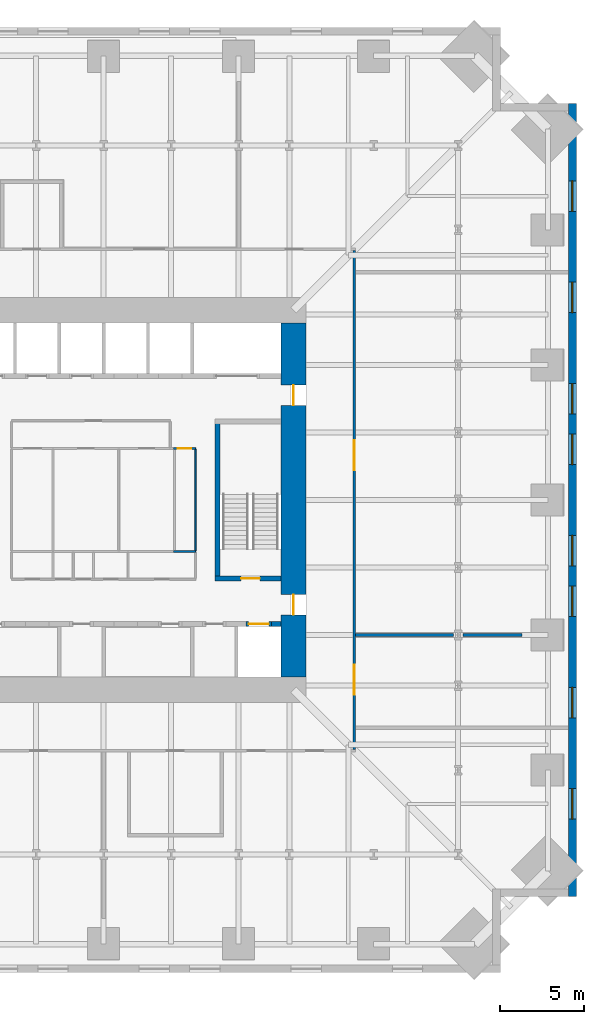
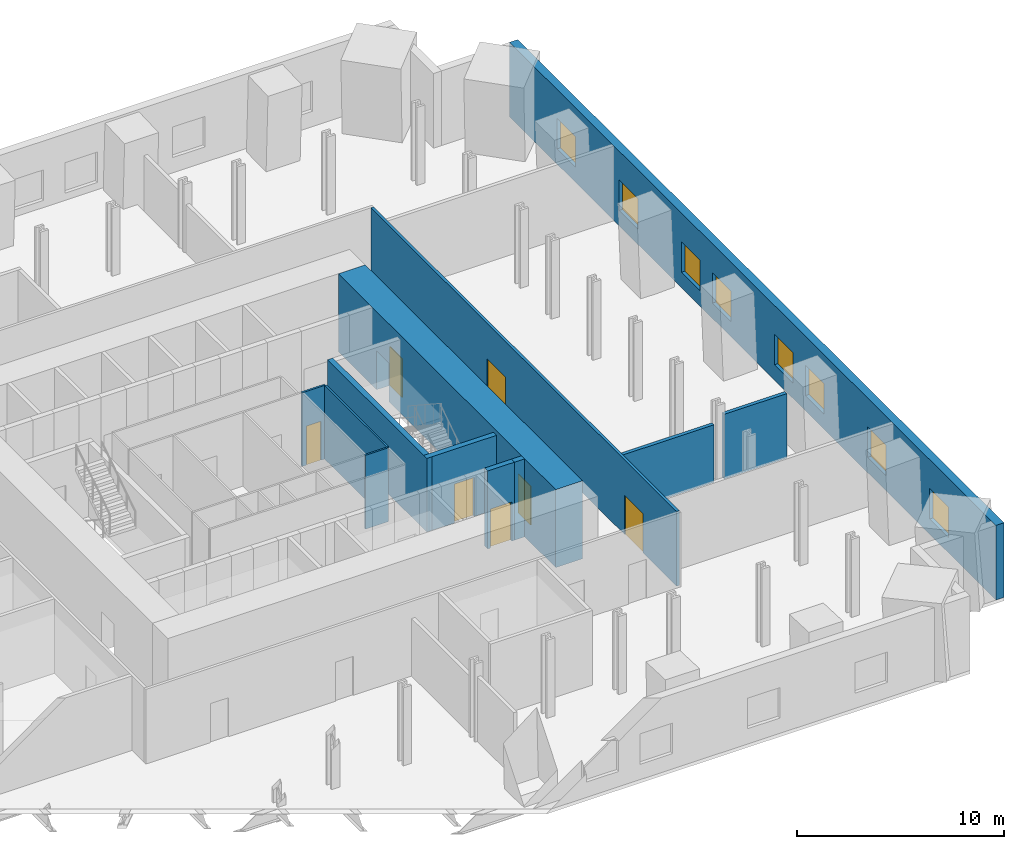
# One storey, part 5 of 8: 12 walls, 8 windows, 7 doors, 15 openings.
"""IFC4 building model written with IfcOpenShell, lengths in metres."""

from ifc_helpers import new_model, si_unit, direction, frame, frame_2d, origin, place, context, subcontext, project, spatial, rectangle, extrude, material, layer, layer_set, type_object, element, fill, save


model = new_model("IFC4")

# Units and contexts
model_context = context("Model", 3, precision=1e-05, world=origin(), true_north=direction((0.0, 1.0)))
body_context = subcontext(model_context, "Body", "Model", "MODEL_VIEW")
ifc_project = project(units=[si_unit("LENGTHUNIT", "METRE"), si_unit("AREAUNIT", "SQUARE_METRE"), si_unit("VOLUMEUNIT", "CUBIC_METRE"), si_unit("PLANEANGLEUNIT", "RADIAN"), si_unit("MASSUNIT", "GRAM", prefix="KILO")], contexts=[model_context])

# Site, building, storey
site_placement = place(None, origin())
site = spatial("IfcSite", under=ifc_project, at=site_placement, CompositionType="ELEMENT")
building_placement = place(site_placement, origin())
building = spatial("IfcBuilding", under=site, at=building_placement, Name="Peilmerk Tower", CompositionType="ELEMENT")
storey_placement = place(building_placement, frame((0.0, 0.0, 113.60009765625)))
storey = spatial("IfcBuildingStorey", under=building, at=storey_placement, Name="L22", CompositionType="ELEMENT", Elevation=113.60009765625)

# Wall, openings, windows
ifc_material_1 = material(Name="Precast concrete C45/55, board-marked finish", Category="concrete")
ifc_layer_1 = layer(ifc_material_1, 0.449951171875)
ifc_layer_set_1 = layer_set([ifc_layer_1], Name="Precast concrete C45/55, board-marked finish")
wall_type_1 = type_object("IfcWallType", Name="EW1 450 precast concrete facade wall, board-marked", PredefinedType="SOLIDWALL", material=ifc_layer_set_1)
wall_1_placement = place(storey_placement, frame((27.77490234375, -23.5, 0.0), z_axis=(0.0, 0.0, 1.0), x_axis=(0.0, 1.0, 0.0)))
wall_1 = element("IfcWall", 1, at=wall_1_placement, inside=storey, type_object=wall_type_1, Name="Facade wall E L22", PredefinedType="SOLIDWALL", context=body_context, shape_type="SweptSolid", body=[
    extrude(rectangle(XDim=47.0, YDim=0.449951171875, at=frame_2d((23.5, 0.0))), origin(), (0.0, 0.0, 1.0), 4.39990234375),
])
opening_1_placement = place(wall_1_placement, frame((4.60009765625, 0.0, 0.89990234375)))
opening_1 = element("IfcOpeningElement", 2, at=opening_1_placement, cuts=wall_1, Name="Opening W3", PredefinedType="OPENING", context=body_context, shape_type="SweptSolid", body=[
    extrude(rectangle(XDim=1.800048828125, YDim=1.800048828125, at=frame_2d((0.89990234375, 0.89990234375))), frame((0.0, 0.23486328125, 0.0), z_axis=(0.0, -1.0, 0.0), x_axis=(1.0, 0.0, 0.0)), (0.0, 0.0, 1.0), 0.469970703125),
])
opening_2_placement = place(wall_1_placement, frame((10.60009765625, 0.0, 0.89990234375)))
opening_2 = element("IfcOpeningElement", 3, at=opening_2_placement, cuts=wall_1, Name="Opening W3", PredefinedType="OPENING", context=body_context, shape_type="SweptSolid", body=[
    extrude(rectangle(XDim=1.800048828125, YDim=1.800048828125, at=frame_2d((0.89990234375, 0.89990234375))), frame((0.0, 0.23486328125, 0.0), z_axis=(0.0, -1.0, 0.0), x_axis=(1.0, 0.0, 0.0)), (0.0, 0.0, 1.0), 0.469970703125),
])
opening_3_placement = place(wall_1_placement, frame((16.60009765625, 0.0, 0.89990234375)))
opening_3 = element("IfcOpeningElement", 4, at=opening_3_placement, cuts=wall_1, Name="Opening W3", PredefinedType="OPENING", context=body_context, shape_type="SweptSolid", body=[
    extrude(rectangle(XDim=1.800048828125, YDim=1.800048828125, at=frame_2d((0.89990234375, 0.89990234375))), frame((0.0, 0.23486328125, 0.0), z_axis=(0.0, -1.0, 0.0), x_axis=(1.0, 0.0, 0.0)), (0.0, 0.0, 1.0), 0.469970703125),
])
opening_4_placement = place(wall_1_placement, frame((19.60009765625, 0.0, 0.89990234375)))
opening_4 = element("IfcOpeningElement", 5, at=opening_4_placement, cuts=wall_1, Name="Opening W3", PredefinedType="OPENING", context=body_context, shape_type="SweptSolid", body=[
    extrude(rectangle(XDim=1.800048828125, YDim=1.800048828125, at=frame_2d((0.89990234375, 0.89990234375))), frame((0.0, 0.23486328125, 0.0), z_axis=(0.0, -1.0, 0.0), x_axis=(1.0, 0.0, 0.0)), (0.0, 0.0, 1.0), 0.469970703125),
])
opening_5_placement = place(wall_1_placement, frame((25.60009765625, 0.0, 0.89990234375)))
opening_5 = element("IfcOpeningElement", 6, at=opening_5_placement, cuts=wall_1, Name="Opening W3", PredefinedType="OPENING", context=body_context, shape_type="SweptSolid", body=[
    extrude(rectangle(XDim=1.800048828125, YDim=1.800048828125, at=frame_2d((0.89990234375, 0.89990234375))), frame((0.0, 0.23486328125, 0.0), z_axis=(0.0, -1.0, 0.0), x_axis=(1.0, 0.0, 0.0)), (0.0, 0.0, 1.0), 0.469970703125),
])
opening_6_placement = place(wall_1_placement, frame((28.60009765625, 0.0, 0.89990234375)))
opening_6 = element("IfcOpeningElement", 7, at=opening_6_placement, cuts=wall_1, Name="Opening W3", PredefinedType="OPENING", context=body_context, shape_type="SweptSolid", body=[
    extrude(rectangle(XDim=1.800048828125, YDim=1.800048828125, at=frame_2d((0.89990234375, 0.89990234375))), frame((0.0, 0.23486328125, 0.0), z_axis=(0.0, -1.0, 0.0), x_axis=(1.0, 0.0, 0.0)), (0.0, 0.0, 1.0), 0.469970703125),
])
opening_7_placement = place(wall_1_placement, frame((34.60009765625, 0.0, 0.89990234375)))
opening_7 = element("IfcOpeningElement", 8, at=opening_7_placement, cuts=wall_1, Name="Opening W3", PredefinedType="OPENING", context=body_context, shape_type="SweptSolid", body=[
    extrude(rectangle(XDim=1.800048828125, YDim=1.800048828125, at=frame_2d((0.89990234375, 0.89990234375))), frame((0.0, 0.23486328125, 0.0), z_axis=(0.0, -1.0, 0.0), x_axis=(1.0, 0.0, 0.0)), (0.0, 0.0, 1.0), 0.469970703125),
])
opening_8_placement = place(wall_1_placement, frame((40.60009765625, 0.0, 0.89990234375)))
opening_8 = element("IfcOpeningElement", 9, at=opening_8_placement, cuts=wall_1, Name="Opening W3", PredefinedType="OPENING", context=body_context, shape_type="SweptSolid", body=[
    extrude(rectangle(XDim=1.800048828125, YDim=1.800048828125, at=frame_2d((0.89990234375, 0.89990234375))), frame((0.0, 0.23486328125, 0.0), z_axis=(0.0, -1.0, 0.0), x_axis=(1.0, 0.0, 0.0)), (0.0, 0.0, 1.0), 0.469970703125),
])
ifc_material_2 = material(Name="Aluminium frame, clear double glazing", Category="aluminium")
window_type = type_object("IfcWindowType", Name="W3 1800x1800 telecom floor window", PartitioningType="SINGLE_PANEL", PredefinedType="WINDOW", material=ifc_material_2)
window_1_placement = place(opening_1_placement, origin())
window_1 = element("IfcWindow", 10, at=window_1_placement, inside=storey, type_object=window_type, Name="Window W3 L22", OverallHeight=1.800048828125, OverallWidth=1.800048828125, PartitioningType="SINGLE_PANEL", PredefinedType="WINDOW", context=body_context, shape_type="SweptSolid", body=[
    extrude(rectangle(XDim=1.800048828125, YDim=1.800048828125, at=frame_2d((0.89990234375, 0.89990234375))), frame((0.0, 0.030029296875, 0.0), z_axis=(0.0, -1.0, 0.0), x_axis=(1.0, 0.0, 0.0)), (0.0, 0.0, 1.0), 0.06005859375),
])
fill(opening_1, window_1)
window_2_placement = place(opening_2_placement, origin())
window_2 = element("IfcWindow", 11, at=window_2_placement, inside=storey, type_object=window_type, Name="Window W3 L22", OverallHeight=1.800048828125, OverallWidth=1.800048828125, PartitioningType="SINGLE_PANEL", PredefinedType="WINDOW", context=body_context, shape_type="SweptSolid", body=[
    extrude(rectangle(XDim=1.800048828125, YDim=1.800048828125, at=frame_2d((0.89990234375, 0.89990234375))), frame((0.0, 0.030029296875, 0.0), z_axis=(0.0, -1.0, 0.0), x_axis=(1.0, 0.0, 0.0)), (0.0, 0.0, 1.0), 0.06005859375),
])
fill(opening_2, window_2)
window_3_placement = place(opening_3_placement, origin())
window_3 = element("IfcWindow", 12, at=window_3_placement, inside=storey, type_object=window_type, Name="Window W3 L22", OverallHeight=1.800048828125, OverallWidth=1.800048828125, PartitioningType="SINGLE_PANEL", PredefinedType="WINDOW", context=body_context, shape_type="SweptSolid", body=[
    extrude(rectangle(XDim=1.800048828125, YDim=1.800048828125, at=frame_2d((0.89990234375, 0.89990234375))), frame((0.0, 0.030029296875, 0.0), z_axis=(0.0, -1.0, 0.0), x_axis=(1.0, 0.0, 0.0)), (0.0, 0.0, 1.0), 0.06005859375),
])
fill(opening_3, window_3)
window_4_placement = place(opening_4_placement, origin())
window_4 = element("IfcWindow", 13, at=window_4_placement, inside=storey, type_object=window_type, Name="Window W3 L22", OverallHeight=1.800048828125, OverallWidth=1.800048828125, PartitioningType="SINGLE_PANEL", PredefinedType="WINDOW", context=body_context, shape_type="SweptSolid", body=[
    extrude(rectangle(XDim=1.800048828125, YDim=1.800048828125, at=frame_2d((0.89990234375, 0.89990234375))), frame((0.0, 0.030029296875, 0.0), z_axis=(0.0, -1.0, 0.0), x_axis=(1.0, 0.0, 0.0)), (0.0, 0.0, 1.0), 0.06005859375),
])
fill(opening_4, window_4)
window_5_placement = place(opening_5_placement, origin())
window_5 = element("IfcWindow", 14, at=window_5_placement, inside=storey, type_object=window_type, Name="Window W3 L22", OverallHeight=1.800048828125, OverallWidth=1.800048828125, PartitioningType="SINGLE_PANEL", PredefinedType="WINDOW", context=body_context, shape_type="SweptSolid", body=[
    extrude(rectangle(XDim=1.800048828125, YDim=1.800048828125, at=frame_2d((0.89990234375, 0.89990234375))), frame((0.0, 0.030029296875, 0.0), z_axis=(0.0, -1.0, 0.0), x_axis=(1.0, 0.0, 0.0)), (0.0, 0.0, 1.0), 0.06005859375),
])
fill(opening_5, window_5)
window_6_placement = place(opening_6_placement, origin())
window_6 = element("IfcWindow", 15, at=window_6_placement, inside=storey, type_object=window_type, Name="Window W3 L22", OverallHeight=1.800048828125, OverallWidth=1.800048828125, PartitioningType="SINGLE_PANEL", PredefinedType="WINDOW", context=body_context, shape_type="SweptSolid", body=[
    extrude(rectangle(XDim=1.800048828125, YDim=1.800048828125, at=frame_2d((0.89990234375, 0.89990234375))), frame((0.0, 0.030029296875, 0.0), z_axis=(0.0, -1.0, 0.0), x_axis=(1.0, 0.0, 0.0)), (0.0, 0.0, 1.0), 0.06005859375),
])
fill(opening_6, window_6)
window_7_placement = place(opening_7_placement, origin())
window_7 = element("IfcWindow", 16, at=window_7_placement, inside=storey, type_object=window_type, Name="Window W3 L22", OverallHeight=1.800048828125, OverallWidth=1.800048828125, PartitioningType="SINGLE_PANEL", PredefinedType="WINDOW", context=body_context, shape_type="SweptSolid", body=[
    extrude(rectangle(XDim=1.800048828125, YDim=1.800048828125, at=frame_2d((0.89990234375, 0.89990234375))), frame((0.0, 0.030029296875, 0.0), z_axis=(0.0, -1.0, 0.0), x_axis=(1.0, 0.0, 0.0)), (0.0, 0.0, 1.0), 0.06005859375),
])
fill(opening_7, window_7)
window_8_placement = place(opening_8_placement, origin())
window_8 = element("IfcWindow", 17, at=window_8_placement, inside=storey, type_object=window_type, Name="Window W3 L22", OverallHeight=1.800048828125, OverallWidth=1.800048828125, PartitioningType="SINGLE_PANEL", PredefinedType="WINDOW", context=body_context, shape_type="SweptSolid", body=[
    extrude(rectangle(XDim=1.800048828125, YDim=1.800048828125, at=frame_2d((0.89990234375, 0.89990234375))), frame((0.0, 0.030029296875, 0.0), z_axis=(0.0, -1.0, 0.0), x_axis=(1.0, 0.0, 0.0)), (0.0, 0.0, 1.0), 0.06005859375),
])
fill(opening_8, window_8)

# Wall, openings, doors
ifc_material_3 = material(Name="Calcium silicate block", Category="masonry")
ifc_layer_2 = layer(ifc_material_3, 0.14990234375)
ifc_layer_set_2 = layer_set([ifc_layer_2], Name="Calcium silicate block")
wall_type_2 = type_object("IfcWallType", Name="IW1 150 corridor partition, EI 60", PredefinedType="PARTITIONING", material=ifc_layer_set_2)
wall_2_placement = place(storey_placement, frame((14.85009765625, -14.77490234375, 0.0), z_axis=(0.0, 0.0, 1.0), x_axis=(0.0, 1.0, 0.0)))
wall_2 = element("IfcWall", 18, at=wall_2_placement, inside=storey, type_object=wall_type_2, Name="Corridor wall E L22", PredefinedType="PARTITIONING", context=body_context, shape_type="SweptSolid", body=[
    extrude(rectangle(XDim=29.5498046875, YDim=0.14990234375, at=frame_2d((14.77490234375, 0.0))), origin(), (0.0, 0.0, 1.0), 4.39990234375),
])
opening_9_placement = place(wall_2_placement, frame((3.22509765625, 0.0, 0.0)))
opening_9 = element("IfcOpeningElement", 19, at=opening_9_placement, cuts=wall_2, Name="Opening D2", PredefinedType="OPENING", context=body_context, shape_type="SweptSolid", body=[
    extrude(rectangle(XDim=1.800048828125, YDim=2.300048828125, at=frame_2d((0.89990234375, 1.14990234375))), frame((0.0, 0.0849609375, 0.0), z_axis=(0.0, -1.0, 0.0), x_axis=(1.0, 0.0, 0.0)), (0.0, 0.0, 1.0), 0.169921875),
])
opening_10_placement = place(wall_2_placement, frame((16.52490234375, 0.0, 0.0)))
opening_10 = element("IfcOpeningElement", 20, at=opening_10_placement, cuts=wall_2, Name="Opening D2", PredefinedType="OPENING", context=body_context, shape_type="SweptSolid", body=[
    extrude(rectangle(XDim=1.800048828125, YDim=2.300048828125, at=frame_2d((0.89990234375, 1.14990234375))), frame((0.0, 0.0849609375, 0.0), z_axis=(0.0, -1.0, 0.0), x_axis=(1.0, 0.0, 0.0)), (0.0, 0.0, 1.0), 0.169921875),
])
ifc_material_4 = material(Name="Steel door in steel frame", Category="steel")
door_type_1 = type_object("IfcDoorType", Name="D2 1800x2300 double door, EI2 60", OperationType="DOUBLE_DOOR_DOUBLE_SWING", PredefinedType="DOOR", material=ifc_material_4)
door_1_placement = place(opening_9_placement, frame((1.800048828125, 0.0, 0.0), z_axis=(0.0, 0.0, 1.0), x_axis=(-1.0, 0.0, 0.0)))
door_1 = element("IfcDoor", 21, at=door_1_placement, inside=storey, type_object=door_type_1, Name="Door Rectifier room L22", OperationType="DOUBLE_DOOR_DOUBLE_SWING", OverallHeight=2.300048828125, OverallWidth=1.800048828125, PredefinedType="DOOR", context=body_context, shape_type="SweptSolid", body=[
    extrude(rectangle(XDim=1.800048828125, YDim=2.300048828125, at=frame_2d((0.89990234375, 1.14990234375))), frame((0.0, 0.02490234375, 0.0), z_axis=(0.0, -1.0, 0.0), x_axis=(1.0, 0.0, 0.0)), (0.0, 0.0, 1.0), 0.050048828125),
])
fill(opening_9, door_1)
door_2_placement = place(opening_10_placement, frame((1.800048828125, 0.0, 0.0), z_axis=(0.0, 0.0, 1.0), x_axis=(-1.0, 0.0, 0.0)))
door_2 = element("IfcDoor", 22, at=door_2_placement, inside=storey, type_object=door_type_1, Name="Door Battery room L22", OperationType="DOUBLE_DOOR_DOUBLE_SWING", OverallHeight=2.300048828125, OverallWidth=1.800048828125, PredefinedType="DOOR", context=body_context, shape_type="SweptSolid", body=[
    extrude(rectangle(XDim=1.800048828125, YDim=2.300048828125, at=frame_2d((0.89990234375, 1.14990234375))), frame((0.0, 0.02490234375, 0.0), z_axis=(0.0, -1.0, 0.0), x_axis=(1.0, 0.0, 0.0)), (0.0, 0.0, 1.0), 0.050048828125),
])
fill(opening_10, door_2)

# Walls
ifc_layer_3 = layer(ifc_material_3, 0.199951171875)
ifc_layer_set_3 = layer_set([ifc_layer_3], Name="Calcium silicate block")
wall_type_3 = type_object("IfcWallType", Name="IW2 200 room separating wall, EI 120", PredefinedType="PARTITIONING", material=ifc_layer_set_3)
wall_3_placement = place(storey_placement, frame((14.925048828125, -8.0, 0.0), z_axis=(0.0, 0.0, 1.0), x_axis=(1.0, 0.0, 0.0)))
element("IfcWall", 23, at=wall_3_placement, inside=storey, type_object=wall_type_3, Name="Room separating wall E1 L22", PredefinedType="PARTITIONING", context=body_context, shape_type="SweptSolid", body=[
    extrude(rectangle(XDim=5.79052734375, YDim=0.199951171875, at=frame_2d((2.895263671875, 0.0))), origin(), (0.0, 0.0, 1.0), 3.391845703125),
])
wall_4_placement = place(storey_placement, frame((21.284423828125, -8.0, 0.0), z_axis=(0.0, 0.0, 1.0), x_axis=(1.0, 0.0, 0.0)))
element("IfcWall", 24, at=wall_4_placement, inside=storey, type_object=wall_type_3, Name="Room separating wall E1b L22", PredefinedType="PARTITIONING", context=body_context, shape_type="SweptSolid", body=[
    extrude(rectangle(XDim=3.502685546875, YDim=0.199951171875, at=frame_2d((1.75146484375, 0.0))), origin(), (0.0, 0.0, 1.0), 3.809814453125),
])
ifc_material_5 = material(Name="Concrete C35/45", Category="concrete")
ifc_layer_4 = layer(ifc_material_5, 0.300048828125)
ifc_layer_set_4 = layer_set([ifc_layer_4], Name="Concrete C35/45")
wall_type_4 = type_object("IfcWallType", Name="IW3 300 concrete stair enclosure wall, EI 120", PredefinedType="SOLIDWALL", material=ifc_layer_set_4)
wall_5_placement = place(storey_placement, frame((6.75, -4.800048828125, 0.0), z_axis=(0.0, 0.0, 1.0), x_axis=(0.0, 1.0, 0.0)))
element("IfcWall", 25, at=wall_5_placement, inside=storey, type_object=wall_type_4, Name="Stair 2 enclosure L22", PredefinedType="SOLIDWALL", context=body_context, shape_type="SweptSolid", body=[
    extrude(rectangle(XDim=9.60009765625, YDim=0.300048828125, at=frame_2d((4.800048828125, 0.0))), origin(), (0.0, 0.0, 1.0), 4.349853515625),
])

# Wall, opening, door
wall_6_placement = place(storey_placement, frame((10.5, -4.64990234375, 0.0), z_axis=(0.0, 0.0, 1.0), x_axis=(-1.0, 0.0, 0.0)))
wall_6 = element("IfcWall", 26, at=wall_6_placement, inside=storey, type_object=wall_type_4, Name="Stair 2 enclosure L22", PredefinedType="SOLIDWALL", context=body_context, shape_type="SweptSolid", body=[
    extrude(rectangle(XDim=3.89990234375, YDim=0.300048828125, at=frame_2d((1.949951171875, 0.0))), origin(), (0.0, 0.0, 1.0), 4.349853515625),
])
opening_11_placement = place(wall_6_placement, frame((1.25, 0.0, 0.0)))
opening_11 = element("IfcOpeningElement", 27, at=opening_11_placement, cuts=wall_6, Name="Opening D4", PredefinedType="OPENING", context=body_context, shape_type="SweptSolid", body=[
    extrude(rectangle(XDim=1.10009765625, YDim=2.300048828125, at=frame_2d((0.550048828125, 1.14990234375))), frame((0.0, 0.159912109375, 0.0), z_axis=(0.0, -1.0, 0.0), x_axis=(1.0, 0.0, 0.0)), (0.0, 0.0, 1.0), 0.320068359375),
])
door_type_2 = type_object("IfcDoorType", Name="D4 1100x2300 stair door, EI2 60", OperationType="SINGLE_SWING_RIGHT", PredefinedType="DOOR", material=ifc_material_4)
door_3_placement = place(opening_11_placement, frame((1.10009765625, 0.0, 0.0), z_axis=(0.0, 0.0, 1.0), x_axis=(-1.0, 0.0, 0.0)))
door_3 = element("IfcDoor", 28, at=door_3_placement, inside=storey, type_object=door_type_2, Name="Stair 2 door L22", OperationType="SINGLE_SWING_RIGHT", OverallHeight=2.300048828125, OverallWidth=1.10009765625, PredefinedType="DOOR", context=body_context, shape_type="SweptSolid", body=[
    extrude(rectangle(XDim=1.10009765625, YDim=2.300048828125, at=frame_2d((0.550048828125, 1.14990234375))), frame((0.0, 0.02490234375, 0.0), z_axis=(0.0, -1.0, 0.0), x_axis=(1.0, 0.0, 0.0)), (0.0, 0.0, 1.0), 0.050048828125),
])
fill(opening_11, door_3)

ifc_material_6 = material(Name="Calcium silicate board on steel studs", Category="steel")
ifc_layer_5 = layer(ifc_material_6, 0.10009765625)
ifc_layer_set_5 = layer_set([ifc_layer_5], Name="Calcium silicate board on steel studs")
wall_type_5 = type_object("IfcWallType", Name="IW5 100 riser enclosure wall, EI 60", PredefinedType="PARTITIONING", material=ifc_layer_set_5)
wall_7_placement = place(storey_placement, frame((4.14990234375, 3.050048828125, 0.0), z_axis=(0.0, 0.0, 1.0), x_axis=(1.0, 0.0, 0.0)))
wall_7 = element("IfcWall", 29, at=wall_7_placement, inside=storey, type_object=wall_type_5, Name="Riser wall L22", PredefinedType="PARTITIONING", context=body_context, shape_type="SweptSolid", body=[
    extrude(rectangle(XDim=1.300048828125, YDim=0.10009765625, at=frame_2d((0.64990234375, 0.0))), origin(), (0.0, 0.0, 1.0), 4.349853515625),
])
opening_12_placement = place(wall_7_placement, frame((0.25, 0.0, 0.0)))
opening_12 = element("IfcOpeningElement", 30, at=opening_12_placement, cuts=wall_7, Name="Opening D7", PredefinedType="OPENING", context=body_context, shape_type="SweptSolid", body=[
    extrude(rectangle(XDim=0.800048828125, YDim=2.300048828125, at=frame_2d((0.39990234375, 1.14990234375))), frame((0.0, 0.06005859375, 0.0), z_axis=(0.0, -1.0, 0.0), x_axis=(1.0, 0.0, 0.0)), (0.0, 0.0, 1.0), 0.1201171875),
])
door_type_3 = type_object("IfcDoorType", Name="D7 800x2300 riser access door, EI2 60", OperationType="SINGLE_SWING_RIGHT", PredefinedType="DOOR", material=ifc_material_4)
door_4_placement = place(opening_12_placement, frame((0.800048828125, 0.0, 0.0), z_axis=(0.0, 0.0, 1.0), x_axis=(-1.0, 0.0, 0.0)))
door_4 = element("IfcDoor", 31, at=door_4_placement, inside=storey, type_object=door_type_3, Name="Plumbing riser door L22", OperationType="SINGLE_SWING_RIGHT", OverallHeight=2.300048828125, OverallWidth=0.800048828125, PredefinedType="DOOR", context=body_context, shape_type="SweptSolid", body=[
    extrude(rectangle(XDim=0.800048828125, YDim=2.300048828125, at=frame_2d((0.39990234375, 1.14990234375))), frame((0.0, 0.02490234375, 0.0), z_axis=(0.0, -1.0, 0.0), x_axis=(1.0, 0.0, 0.0)), (0.0, 0.0, 1.0), 0.050048828125),
])
fill(opening_12, door_4)

# Walls
wall_8_placement = place(storey_placement, frame((5.449951171875, -3.050048828125, 0.0), z_axis=(0.0, 0.0, 1.0), x_axis=(-1.0, 0.0, 0.0)))
element("IfcWall", 32, at=wall_8_placement, inside=storey, type_object=wall_type_5, Name="Riser wall L22", PredefinedType="PARTITIONING", context=body_context, shape_type="SweptSolid", body=[
    extrude(rectangle(XDim=1.300048828125, YDim=0.10009765625, at=frame_2d((0.64990234375, 0.0))), origin(), (0.0, 0.0, 1.0), 4.349853515625),
])
wall_9_placement = place(storey_placement, frame((5.449951171875, 3.0, 0.0), z_axis=(0.0, 0.0, 1.0), x_axis=(0.0, -1.0, 0.0)))
element("IfcWall", 33, at=wall_9_placement, inside=storey, type_object=wall_type_5, Name="Riser wall L22", PredefinedType="PARTITIONING", context=body_context, shape_type="SweptSolid", body=[
    extrude(rectangle(XDim=6.0, YDim=0.10009765625, at=frame_2d((3.0, 0.0))), origin(), (0.0, 0.0, 1.0), 4.349853515625),
])

# Wall, opening, door
ifc_layer_6 = layer(ifc_material_3, 0.300048828125)
ifc_layer_set_6 = layer_set([ifc_layer_6], Name="Calcium silicate block")
wall_type_6 = type_object("IfcWallType", Name="SH2 300 lift landing door panel, EI 120", PredefinedType="PARTITIONING", material=ifc_layer_set_6)
wall_10_placement = place(storey_placement, frame((8.4375, -7.35009765625, 0.0), z_axis=(0.0, 0.0, 1.0), x_axis=(1.0, 0.0, 0.0)))
wall_10 = element("IfcWall", 34, at=wall_10_placement, inside=storey, type_object=wall_type_6, Name="Lift door panel S FL2 L22", PredefinedType="PARTITIONING", context=body_context, shape_type="SweptSolid", body=[
    extrude(rectangle(XDim=1.5, YDim=0.300048828125, at=frame_2d((0.75, 0.0))), origin(), (0.0, 0.0, 1.0), 4.599853515625),
])
opening_13_placement = place(wall_10_placement, frame((0.14990234375, 0.0, 0.0)))
opening_13 = element("IfcOpeningElement", 35, at=opening_13_placement, cuts=wall_10, Name="Opening LD2", PredefinedType="OPENING", context=body_context, shape_type="SweptSolid", body=[
    extrude(rectangle(XDim=1.199951171875, YDim=2.300048828125, at=frame_2d((0.60009765625, 1.14990234375))), frame((0.0, 0.159912109375, 0.0), z_axis=(0.0, -1.0, 0.0), x_axis=(1.0, 0.0, 0.0)), (0.0, 0.0, 1.0), 0.320068359375),
])
ifc_material_7 = material(Name="Stainless steel landing door", Category="steel")
door_type_4 = type_object("IfcDoorType", Name="LD2 1200x2300 lift landing door, sliding, EI2 60", OperationType="SLIDING_TO_LEFT", PredefinedType="DOOR", material=ifc_material_7)
door_5_placement = place(opening_13_placement, origin())
door_5 = element("IfcDoor", 36, at=door_5_placement, inside=storey, type_object=door_type_4, Name="Lift landing door FL2 L22", OperationType="SLIDING_TO_LEFT", OverallHeight=2.300048828125, OverallWidth=1.199951171875, PredefinedType="DOOR", context=body_context, shape_type="SweptSolid", body=[
    extrude(rectangle(XDim=1.199951171875, YDim=2.300048828125, at=frame_2d((0.60009765625, 1.14990234375))), frame((0.0, 0.02490234375, 0.0), z_axis=(0.0, -1.0, 0.0), x_axis=(1.0, 0.0, 0.0)), (0.0, 0.0, 1.0), 0.050048828125),
])
fill(opening_13, door_5)

# Wall, openings, doors
ifc_material_8 = material(Name="Concrete C55/67", Category="concrete")
ifc_layer_7 = layer(ifc_material_8, 1.5)
ifc_layer_set_7 = layer_set([ifc_layer_7], Name="Concrete C55/67")
wall_type_7 = type_object("IfcWallType", Name="SW1 1500 core wall", PredefinedType="SHEAR", material=ifc_layer_set_7)
wall_11_placement = place(storey_placement, frame((11.25, 10.5, 0.0), z_axis=(0.0, 0.0, 1.0), x_axis=(0.0, -1.0, 0.0)))
wall_11 = element("IfcWall", 37, at=wall_11_placement, inside=storey, type_object=wall_type_7, Name="Core wall E L22", PredefinedType="SHEAR", context=body_context, shape_type="SweptSolid", body=[
    extrude(rectangle(XDim=21.0, YDim=1.5, at=frame_2d((10.5, 0.0))), origin(), (0.0, 0.0, 1.0), 4.599853515625),
])
opening_14_placement = place(wall_11_placement, frame((3.699951171875, 0.0, 0.0)))
opening_14 = element("IfcOpeningElement", 38, at=opening_14_placement, cuts=wall_11, Name="Opening D3", PredefinedType="OPENING", context=body_context, shape_type="SweptSolid", body=[
    extrude(rectangle(XDim=1.199951171875, YDim=2.300048828125, at=frame_2d((0.60009765625, 1.14990234375))), frame((0.0, 0.760009765625, 0.0), z_axis=(0.0, -1.0, 0.0), x_axis=(1.0, 0.0, 0.0)), (0.0, 0.0, 1.0), 1.52001953125),
])
opening_15_placement = place(wall_11_placement, frame((16.10009765625, 0.0, 0.0)))
opening_15 = element("IfcOpeningElement", 39, at=opening_15_placement, cuts=wall_11, Name="Opening D3", PredefinedType="OPENING", context=body_context, shape_type="SweptSolid", body=[
    extrude(rectangle(XDim=1.199951171875, YDim=2.300048828125, at=frame_2d((0.60009765625, 1.14990234375))), frame((0.0, 0.760009765625, 0.0), z_axis=(0.0, -1.0, 0.0), x_axis=(1.0, 0.0, 0.0)), (0.0, 0.0, 1.0), 1.52001953125),
])
door_type_5 = type_object("IfcDoorType", Name="D3 1200x2300 core door, EI2 60", OperationType="SINGLE_SWING_LEFT", PredefinedType="DOOR", material=ifc_material_4)
door_6_placement = place(opening_14_placement, frame((1.199951171875, 0.0, 0.0), z_axis=(0.0, 0.0, 1.0), x_axis=(-1.0, 0.0, 0.0)))
door_6 = element("IfcDoor", 40, at=door_6_placement, inside=storey, type_object=door_type_5, Name="Core door L22", OperationType="SINGLE_SWING_LEFT", OverallHeight=2.300048828125, OverallWidth=1.199951171875, PredefinedType="DOOR", context=body_context, shape_type="SweptSolid", body=[
    extrude(rectangle(XDim=1.199951171875, YDim=2.300048828125, at=frame_2d((0.60009765625, 1.14990234375))), frame((0.0, 0.02490234375, 0.0), z_axis=(0.0, -1.0, 0.0), x_axis=(1.0, 0.0, 0.0)), (0.0, 0.0, 1.0), 0.050048828125),
])
fill(opening_14, door_6)
door_7_placement = place(opening_15_placement, frame((1.199951171875, 0.0, 0.0), z_axis=(0.0, 0.0, 1.0), x_axis=(-1.0, 0.0, 0.0)))
door_7 = element("IfcDoor", 41, at=door_7_placement, inside=storey, type_object=door_type_5, Name="Core door L22", OperationType="SINGLE_SWING_LEFT", OverallHeight=2.300048828125, OverallWidth=1.199951171875, PredefinedType="DOOR", context=body_context, shape_type="SweptSolid", body=[
    extrude(rectangle(XDim=1.199951171875, YDim=2.300048828125, at=frame_2d((0.60009765625, 1.14990234375))), frame((0.0, 0.02490234375, 0.0), z_axis=(0.0, -1.0, 0.0), x_axis=(1.0, 0.0, 0.0)), (0.0, 0.0, 1.0), 0.050048828125),
])
fill(opening_15, door_7)

# Wall
ifc_layer_8 = layer(ifc_material_8, 0.300048828125)
ifc_layer_set_8 = layer_set([ifc_layer_8], Name="Concrete C55/67")
wall_type_8 = type_object("IfcWallType", Name="SW2 300 lift bank pier", PredefinedType="SHEAR", material=ifc_layer_set_8)
wall_12_placement = place(storey_placement, frame((9.9375, -7.35009765625, 0.0), z_axis=(0.0, 0.0, 1.0), x_axis=(1.0, 0.0, 0.0)))
element("IfcWall", 42, at=wall_12_placement, inside=storey, type_object=wall_type_8, Name="Lift bank pier S L22", PredefinedType="SHEAR", context=body_context, shape_type="SweptSolid", body=[
    extrude(rectangle(XDim=0.5625, YDim=0.300048828125, at=frame_2d((0.28125, 0.0))), origin(), (0.0, 0.0, 1.0), 4.599853515625),
])

save(model, "model.ifc")
